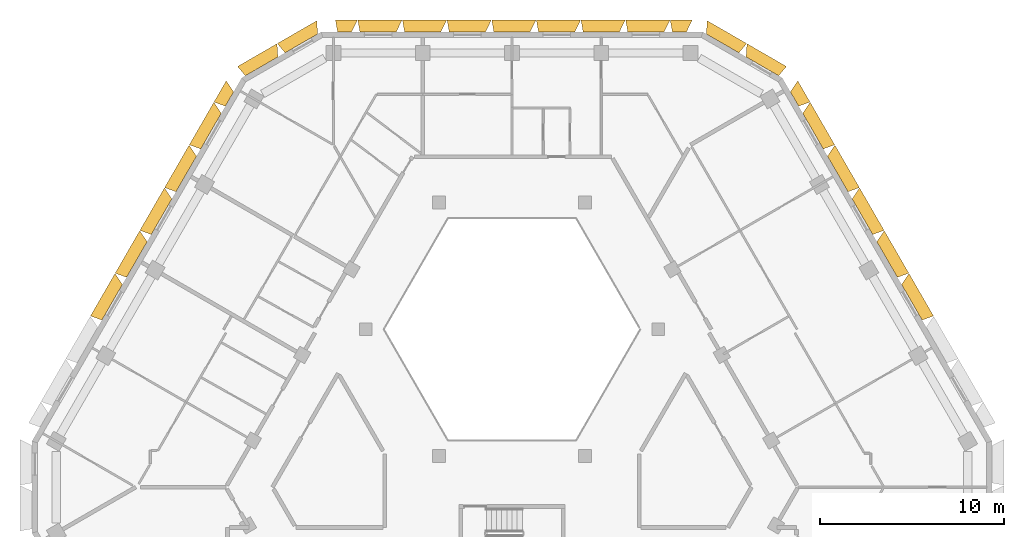
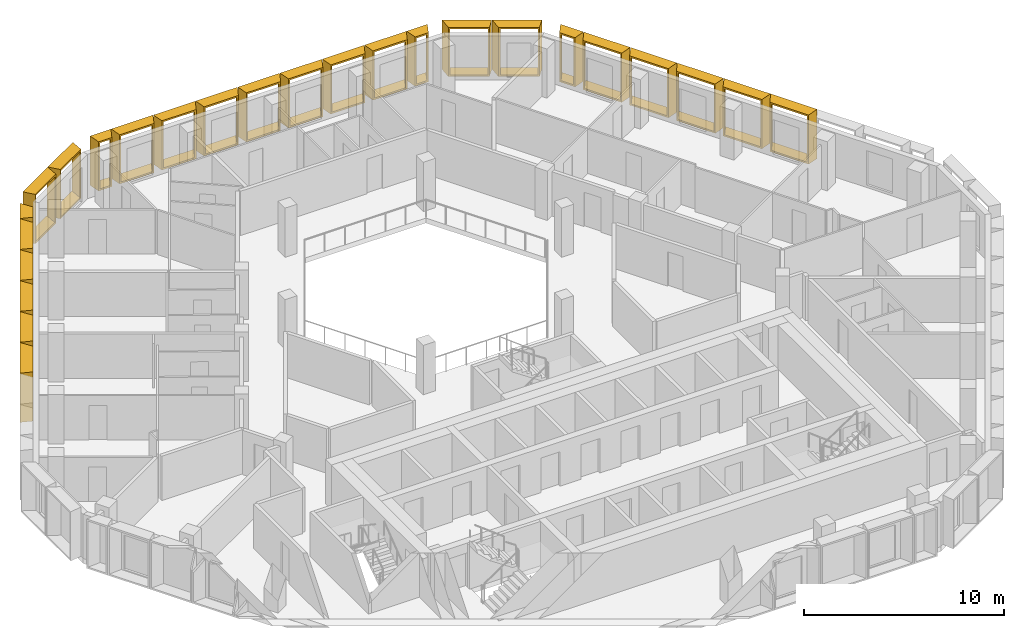
# One storey, part 15 of 15: 25 shading devices.
"""IFC4 building model written with IfcOpenShell, lengths in metres."""

from ifc_helpers import new_model, entity, si_unit, direction, frame, origin, place, context, subcontext, project, spatial, source, transform, mapped, material, type_object, type_shapes, element, save


model = new_model("IFC4")

# Units and contexts
model_context = context("Model", 3, precision=1e-05, world=origin(), true_north=direction((0.0, 1.0)))
body_context = subcontext(model_context, "Body", "Model", "MODEL_VIEW")
ifc_project = project(units=[si_unit("LENGTHUNIT", "METRE"), si_unit("AREAUNIT", "SQUARE_METRE"), si_unit("VOLUMEUNIT", "CUBIC_METRE"), si_unit("PLANEANGLEUNIT", "RADIAN"), si_unit("MASSUNIT", "GRAM", prefix="KILO")], contexts=[model_context])

# Site, building, storey
site_placement = place(None, origin())
site = spatial("IfcSite", under=ifc_project, at=site_placement, CompositionType="ELEMENT")
building_placement = place(site_placement, origin())
building = spatial("IfcBuilding", under=site, at=building_placement, Name="Beryl Residences", CompositionType="ELEMENT")
storey_placement = place(building_placement, frame((0.0, 0.0, 163.199951171875)))
storey = spatial("IfcBuildingStorey", under=building, at=storey_placement, Name="L49", CompositionType="ELEMENT", Elevation=163.199951171875)

# Shading devices
ifc_material_1 = material(Name="Aluminium pale anodised", Category="aluminium")
shading_device_type_1 = type_object("IfcShadingDeviceType", Name="FR122-65B OUTER SKIN frame 650 mm deep, splay 26/10 deg, 1220 x 3000 mm cell", PredefinedType="USERDEFINED", material=ifc_material_1)
cartesian_point_1 = entity("IfcCartesianPoint", [-0.384033203125, 0.0])
cartesian_point_2 = entity("IfcCartesianPoint", [-0.294921875, 0.10009765625])
cartesian_point_3 = entity("IfcCartesianPoint", [-0.700927734375, 0.0])
cartesian_point_4 = entity("IfcCartesianPoint", [-0.612060546875, 0.10009765625])
shared_shape_1 = source(origin(), body_context, "Body", "SweptSolid", [
    entity("IfcExtrudedAreaSolidTapered", entity("IfcArbitraryProfileDefWithVoids", "AREA", None, entity("IfcPolyline", [cartesian_point_1, entity("IfcCartesianPoint", [0.384033203125, 0.0]), entity("IfcCartesianPoint", [0.384033203125, 3.0]), entity("IfcCartesianPoint", [-0.384033203125, 3.0]), cartesian_point_1]), [entity("IfcPolyline", [cartesian_point_2, entity("IfcCartesianPoint", [0.302734375, 0.10009765625]), entity("IfcCartesianPoint", [0.302734375, 2.89990234375]), entity("IfcCartesianPoint", [-0.294921875, 2.89990234375]), cartesian_point_2])]), entity("IfcAxis2Placement3D", entity("IfcCartesianPoint", [0.0, 0.0, 0.0]), entity("IfcDirection", [0.0, 1.0, 0.0]), entity("IfcDirection", [-1.0, 0.0, 0.0])), entity("IfcDirection", [0.0, 0.0, 1.0]), 0.64990234375, entity("IfcArbitraryProfileDefWithVoids", "AREA", None, entity("IfcPolyline", [cartesian_point_3, entity("IfcCartesianPoint", [0.49853515625, 0.0]), entity("IfcCartesianPoint", [0.49853515625, 3.0]), entity("IfcCartesianPoint", [-0.700927734375, 3.0]), cartesian_point_3]), [entity("IfcPolyline", [cartesian_point_4, entity("IfcCartesianPoint", [0.41748046875, 0.10009765625]), entity("IfcCartesianPoint", [0.41748046875, 2.89990234375]), entity("IfcCartesianPoint", [-0.612060546875, 2.89990234375]), cartesian_point_4])])),
])
type_shapes(shading_device_type_1, [shared_shape_1])
for number, where, z_axis, x_axis, name in (
    (1, (9.1201171875, 24.199951171875, 0.0), (0.0, 0.0, 1.0), (1.0, 0.0, 0.0), "FR122-65B frame L49 N 1"),
    (2, (-9.1201171875, 24.199951171875, 0.0), (0.0, 0.0, 1.0), (1.0, 0.0, 0.0), "FR122-65B frame L49 N 9"),
):
    element("IfcShadingDevice", number, at=place(storey_placement, frame(where, z_axis=z_axis, x_axis=x_axis)), inside=storey, type_object=shading_device_type_1, Name=name, ObjectType="OUTER SKIN", PredefinedType="USERDEFINED", context=body_context, shape_type="MappedRepresentation", body=[
        mapped(shared_shape_1, transform((0.0, 0.0, 0.0))),
    ])
ifc_material_2 = material(Name="Aluminium pale anodised", Category="aluminium")
shading_device_type_2 = type_object("IfcShadingDeviceType", Name="FR135-65B OUTER SKIN frame 650 mm deep, splay 26/10 deg, 1350 x 3000 mm cell", PredefinedType="USERDEFINED", material=ifc_material_2)
cartesian_point_5 = entity("IfcCartesianPoint", [-0.448974609375, 0.0])
cartesian_point_6 = entity("IfcCartesianPoint", [-0.360107421875, 0.10009765625])
cartesian_point_7 = entity("IfcCartesianPoint", [-0.76611328125, 0.0])
cartesian_point_8 = entity("IfcCartesianPoint", [-0.677001953125, 0.10009765625])
shared_shape_2 = source(origin(), body_context, "Body", "SweptSolid", [
    entity("IfcExtrudedAreaSolidTapered", entity("IfcArbitraryProfileDefWithVoids", "AREA", None, entity("IfcPolyline", [cartesian_point_5, entity("IfcCartesianPoint", [0.448974609375, 0.0]), entity("IfcCartesianPoint", [0.448974609375, 3.0]), entity("IfcCartesianPoint", [-0.448974609375, 3.0]), cartesian_point_5]), [entity("IfcPolyline", [cartesian_point_6, entity("IfcCartesianPoint", [0.36767578125, 0.10009765625]), entity("IfcCartesianPoint", [0.36767578125, 2.89990234375]), entity("IfcCartesianPoint", [-0.360107421875, 2.89990234375]), cartesian_point_6])]), entity("IfcAxis2Placement3D", entity("IfcCartesianPoint", [0.0, 0.0, 0.0]), entity("IfcDirection", [0.0, 1.0, 0.0]), entity("IfcDirection", [-1.0, 0.0, 0.0])), entity("IfcDirection", [0.0, 0.0, 1.0]), 0.64990234375, entity("IfcArbitraryProfileDefWithVoids", "AREA", None, entity("IfcPolyline", [cartesian_point_7, entity("IfcCartesianPoint", [0.563720703125, 0.0]), entity("IfcCartesianPoint", [0.563720703125, 3.0]), entity("IfcCartesianPoint", [-0.76611328125, 3.0]), cartesian_point_7]), [entity("IfcPolyline", [cartesian_point_8, entity("IfcCartesianPoint", [0.482421875, 0.10009765625]), entity("IfcCartesianPoint", [0.482421875, 2.89990234375]), entity("IfcCartesianPoint", [-0.677001953125, 2.89990234375]), cartesian_point_8])])),
])
type_shapes(shading_device_type_2, [shared_shape_2])
shading_device_1_placement = place(storey_placement, frame((-15.39111328125, 20.54296875, 0.0), z_axis=(0.0, 0.0, 1.0), x_axis=(0.5, 0.866025403784, 0.0)))
element("IfcShadingDevice", 3, at=shading_device_1_placement, inside=storey, type_object=shading_device_type_2, Name="FR135-65B frame L49 NW 1", ObjectType="OUTER SKIN", PredefinedType="USERDEFINED", context=body_context, shape_type="MappedRepresentation", body=[
    mapped(shared_shape_2, transform((0.0, 0.0, 0.0))),
])
ifc_material_3 = material(Name="Aluminium pale anodised", Category="aluminium")
shading_device_type_3 = type_object("IfcShadingDeviceType", Name="FR135-65C OUTER SKIN frame 650 mm deep, splay 10/26 deg, 1350 x 3000 mm cell", PredefinedType="USERDEFINED", material=ifc_material_3)
cartesian_point_9 = entity("IfcCartesianPoint", [-0.448974609375, 0.0])
cartesian_point_10 = entity("IfcCartesianPoint", [-0.36767578125, 0.10009765625])
cartesian_point_11 = entity("IfcCartesianPoint", [-0.563720703125, 0.0])
cartesian_point_12 = entity("IfcCartesianPoint", [-0.482421875, 0.10009765625])
shared_shape_3 = source(origin(), body_context, "Body", "SweptSolid", [
    entity("IfcExtrudedAreaSolidTapered", entity("IfcArbitraryProfileDefWithVoids", "AREA", None, entity("IfcPolyline", [cartesian_point_9, entity("IfcCartesianPoint", [0.448974609375, 0.0]), entity("IfcCartesianPoint", [0.448974609375, 3.0]), entity("IfcCartesianPoint", [-0.448974609375, 3.0]), cartesian_point_9]), [entity("IfcPolyline", [cartesian_point_10, entity("IfcCartesianPoint", [0.360107421875, 0.10009765625]), entity("IfcCartesianPoint", [0.360107421875, 2.89990234375]), entity("IfcCartesianPoint", [-0.36767578125, 2.89990234375]), cartesian_point_10])]), entity("IfcAxis2Placement3D", entity("IfcCartesianPoint", [0.0, 0.0, 0.0]), entity("IfcDirection", [0.0, 1.0, 0.0]), entity("IfcDirection", [-1.0, 0.0, 0.0])), entity("IfcDirection", [0.0, 0.0, 1.0]), 0.64990234375, entity("IfcArbitraryProfileDefWithVoids", "AREA", None, entity("IfcPolyline", [cartesian_point_11, entity("IfcCartesianPoint", [0.76611328125, 0.0]), entity("IfcCartesianPoint", [0.76611328125, 3.0]), entity("IfcCartesianPoint", [-0.563720703125, 3.0]), cartesian_point_11]), [entity("IfcPolyline", [cartesian_point_12, entity("IfcCartesianPoint", [0.677001953125, 0.10009765625]), entity("IfcCartesianPoint", [0.677001953125, 2.89990234375]), entity("IfcCartesianPoint", [-0.482421875, 2.89990234375]), cartesian_point_12])])),
])
type_shapes(shading_device_type_3, [shared_shape_3])
shading_device_2_placement = place(storey_placement, frame((15.39111328125, 20.54296875, 0.0), z_axis=(0.0, 0.0, 1.0), x_axis=(0.5, -0.866025403784, 0.0)))
element("IfcShadingDevice", 4, at=shading_device_2_placement, inside=storey, type_object=shading_device_type_3, Name="FR135-65C frame L49 NE 9", ObjectType="OUTER SKIN", PredefinedType="USERDEFINED", context=body_context, shape_type="MappedRepresentation", body=[
    mapped(shared_shape_3, transform((0.0, 0.0, 0.0))),
])
ifc_material_4 = material(Name="Aluminium pale anodised", Category="aluminium")
shading_device_type_4 = type_object("IfcShadingDeviceType", Name="FR243-65B OUTER SKIN frame 650 mm deep, splay 26/10 deg, 2430 x 3000 mm cell", PredefinedType="USERDEFINED", material=ifc_material_4)
cartesian_point_13 = entity("IfcCartesianPoint", [-0.989013671875, 0.0])
cartesian_point_14 = entity("IfcCartesianPoint", [-0.89990234375, 0.10009765625])
cartesian_point_15 = entity("IfcCartesianPoint", [-1.305908203125, 0.0])
cartesian_point_16 = entity("IfcCartesianPoint", [-1.217041015625, 0.10009765625])
shared_shape_4 = source(origin(), body_context, "Body", "SweptSolid", [
    entity("IfcExtrudedAreaSolidTapered", entity("IfcArbitraryProfileDefWithVoids", "AREA", None, entity("IfcPolyline", [cartesian_point_13, entity("IfcCartesianPoint", [0.989013671875, 0.0]), entity("IfcCartesianPoint", [0.989013671875, 3.0]), entity("IfcCartesianPoint", [-0.989013671875, 3.0]), cartesian_point_13]), [entity("IfcPolyline", [cartesian_point_14, entity("IfcCartesianPoint", [0.90771484375, 0.10009765625]), entity("IfcCartesianPoint", [0.90771484375, 2.89990234375]), entity("IfcCartesianPoint", [-0.89990234375, 2.89990234375]), cartesian_point_14])]), entity("IfcAxis2Placement3D", entity("IfcCartesianPoint", [0.0, 0.0, 0.0]), entity("IfcDirection", [0.0, 1.0, 0.0]), entity("IfcDirection", [-1.0, 0.0, 0.0])), entity("IfcDirection", [0.0, 0.0, 1.0]), 0.64990234375, entity("IfcArbitraryProfileDefWithVoids", "AREA", None, entity("IfcPolyline", [cartesian_point_15, entity("IfcCartesianPoint", [1.103515625, 0.0]), entity("IfcCartesianPoint", [1.103515625, 3.0]), entity("IfcCartesianPoint", [-1.305908203125, 3.0]), cartesian_point_15]), [entity("IfcPolyline", [cartesian_point_16, entity("IfcCartesianPoint", [1.0224609375, 0.10009765625]), entity("IfcCartesianPoint", [1.0224609375, 2.89990234375]), entity("IfcCartesianPoint", [-1.217041015625, 2.89990234375]), cartesian_point_16])])),
])
type_shapes(shading_device_type_4, [shared_shape_4])
for number, where, z_axis, x_axis, name in (
    (5, (7.2958984375, 24.199951171875, 0.0), (0.0, 0.0, 1.0), (1.0, 0.0, 0.0), "FR243-65B frame L49 N 2"),
    (6, (4.864013671875, 24.199951171875, 0.0), (0.0, 0.0, 1.0), (1.0, 0.0, 0.0), "FR243-65B frame L49 N 3"),
    (7, (2.431884765625, 24.199951171875, 0.0), (0.0, 0.0, 1.0), (1.0, 0.0, 0.0), "FR243-65B frame L49 N 4"),
    (8, (0.0, 24.199951171875, 0.0), (0.0, 0.0, 1.0), (1.0, 0.0, 0.0), "FR243-65B frame L49 N 5"),
    (9, (-2.431884765625, 24.199951171875, 0.0), (0.0, 0.0, 1.0), (1.0, 0.0, 0.0), "FR243-65B frame L49 N 6"),
    (10, (-4.864013671875, 24.199951171875, 0.0), (0.0, 0.0, 1.0), (1.0, 0.0, 0.0), "FR243-65B frame L49 N 7"),
    (11, (-7.2958984375, 24.199951171875, 0.0), (0.0, 0.0, 1.0), (1.0, 0.0, 0.0), "FR243-65B frame L49 N 8"),
):
    element("IfcShadingDevice", number, at=place(storey_placement, frame(where, z_axis=z_axis, x_axis=x_axis)), inside=storey, type_object=shading_device_type_4, Name=name, ObjectType="OUTER SKIN", PredefinedType="USERDEFINED", context=body_context, shape_type="MappedRepresentation", body=[
        mapped(shared_shape_4, transform((0.0, 0.0, 0.0))),
    ])
ifc_material_5 = material(Name="Aluminium pale anodised", Category="aluminium")
shading_device_type_5 = type_object("IfcShadingDeviceType", Name="FR250-65B OUTER SKIN frame 650 mm deep, splay 26/10 deg, 2500 x 3000 mm cell", PredefinedType="USERDEFINED", material=ifc_material_5)
cartesian_point_17 = entity("IfcCartesianPoint", [-1.02392578125, 0.0])
cartesian_point_18 = entity("IfcCartesianPoint", [-0.93505859375, 0.10009765625])
cartesian_point_19 = entity("IfcCartesianPoint", [-1.341064453125, 0.0])
cartesian_point_20 = entity("IfcCartesianPoint", [-1.251953125, 0.10009765625])
shared_shape_5 = source(origin(), body_context, "Body", "SweptSolid", [
    entity("IfcExtrudedAreaSolidTapered", entity("IfcArbitraryProfileDefWithVoids", "AREA", None, entity("IfcPolyline", [cartesian_point_17, entity("IfcCartesianPoint", [1.02392578125, 0.0]), entity("IfcCartesianPoint", [1.02392578125, 3.0]), entity("IfcCartesianPoint", [-1.02392578125, 3.0]), cartesian_point_17]), [entity("IfcPolyline", [cartesian_point_18, entity("IfcCartesianPoint", [0.94287109375, 0.10009765625]), entity("IfcCartesianPoint", [0.94287109375, 2.89990234375]), entity("IfcCartesianPoint", [-0.93505859375, 2.89990234375]), cartesian_point_18])]), entity("IfcAxis2Placement3D", entity("IfcCartesianPoint", [0.0, 0.0, 0.0]), entity("IfcDirection", [0.0, 1.0, 0.0]), entity("IfcDirection", [-1.0, 0.0, 0.0])), entity("IfcDirection", [0.0, 0.0, 1.0]), 0.64990234375, entity("IfcArbitraryProfileDefWithVoids", "AREA", None, entity("IfcPolyline", [cartesian_point_19, entity("IfcCartesianPoint", [1.138671875, 0.0]), entity("IfcCartesianPoint", [1.138671875, 3.0]), entity("IfcCartesianPoint", [-1.341064453125, 3.0]), cartesian_point_19]), [entity("IfcPolyline", [cartesian_point_20, entity("IfcCartesianPoint", [1.057373046875, 0.10009765625]), entity("IfcCartesianPoint", [1.057373046875, 2.89990234375]), entity("IfcCartesianPoint", [-1.251953125, 2.89990234375]), cartesian_point_20])])),
])
type_shapes(shading_device_type_5, [shared_shape_5])
for number, where, z_axis, x_axis, name in (
    (12, (-11.47412109375, 23.574951171875, 0.0), (0.0, 0.0, 1.0), (0.866025403784, 0.5, 0.0), "FR250-65B frame L49 N-NW 1"),
    (13, (-13.638916015625, 22.324951171875, 0.0), (0.0, 0.0, 1.0), (0.866025403784, 0.5, 0.0), "FR250-65B frame L49 N-NW 2"),
):
    element("IfcShadingDevice", number, at=place(storey_placement, frame(where, z_axis=z_axis, x_axis=x_axis)), inside=storey, type_object=shading_device_type_5, Name=name, ObjectType="OUTER SKIN", PredefinedType="USERDEFINED", context=body_context, shape_type="MappedRepresentation", body=[
        mapped(shared_shape_5, transform((0.0, 0.0, 0.0))),
    ])
ifc_material_6 = material(Name="Aluminium pale anodised", Category="aluminium")
shading_device_type_6 = type_object("IfcShadingDeviceType", Name="FR250-65C OUTER SKIN frame 650 mm deep, splay 10/26 deg, 2500 x 3000 mm cell", PredefinedType="USERDEFINED", material=ifc_material_6)
cartesian_point_21 = entity("IfcCartesianPoint", [-1.02392578125, 0.0])
cartesian_point_22 = entity("IfcCartesianPoint", [-0.94287109375, 0.10009765625])
cartesian_point_23 = entity("IfcCartesianPoint", [-1.138671875, 0.0])
cartesian_point_24 = entity("IfcCartesianPoint", [-1.057373046875, 0.10009765625])
shared_shape_6 = source(origin(), body_context, "Body", "SweptSolid", [
    entity("IfcExtrudedAreaSolidTapered", entity("IfcArbitraryProfileDefWithVoids", "AREA", None, entity("IfcPolyline", [cartesian_point_21, entity("IfcCartesianPoint", [1.02392578125, 0.0]), entity("IfcCartesianPoint", [1.02392578125, 3.0]), entity("IfcCartesianPoint", [-1.02392578125, 3.0]), cartesian_point_21]), [entity("IfcPolyline", [cartesian_point_22, entity("IfcCartesianPoint", [0.93505859375, 0.10009765625]), entity("IfcCartesianPoint", [0.93505859375, 2.89990234375]), entity("IfcCartesianPoint", [-0.94287109375, 2.89990234375]), cartesian_point_22])]), entity("IfcAxis2Placement3D", entity("IfcCartesianPoint", [0.0, 0.0, 0.0]), entity("IfcDirection", [0.0, 1.0, 0.0]), entity("IfcDirection", [-1.0, 0.0, 0.0])), entity("IfcDirection", [0.0, 0.0, 1.0]), 0.64990234375, entity("IfcArbitraryProfileDefWithVoids", "AREA", None, entity("IfcPolyline", [cartesian_point_23, entity("IfcCartesianPoint", [1.341064453125, 0.0]), entity("IfcCartesianPoint", [1.341064453125, 3.0]), entity("IfcCartesianPoint", [-1.138671875, 3.0]), cartesian_point_23]), [entity("IfcPolyline", [cartesian_point_24, entity("IfcCartesianPoint", [1.251953125, 0.10009765625]), entity("IfcCartesianPoint", [1.251953125, 2.89990234375]), entity("IfcCartesianPoint", [-1.057373046875, 2.89990234375]), cartesian_point_24])])),
])
type_shapes(shading_device_type_6, [shared_shape_6])
for number, where, z_axis, x_axis, name in (
    (14, (13.638916015625, 22.324951171875, 0.0), (0.0, 0.0, 1.0), (0.866025403784, -0.5, 0.0), "FR250-65C frame L49 NE-N 1"),
    (15, (11.47412109375, 23.574951171875, 0.0), (0.0, 0.0, 1.0), (0.866025403784, -0.5, 0.0), "FR250-65C frame L49 NE-N 2"),
):
    element("IfcShadingDevice", number, at=place(storey_placement, frame(where, z_axis=z_axis, x_axis=x_axis)), inside=storey, type_object=shading_device_type_6, Name=name, ObjectType="OUTER SKIN", PredefinedType="USERDEFINED", context=body_context, shape_type="MappedRepresentation", body=[
        mapped(shared_shape_6, transform((0.0, 0.0, 0.0))),
    ])
ifc_material_7 = material(Name="Aluminium pale anodised", Category="aluminium")
shading_device_type_7 = type_object("IfcShadingDeviceType", Name="FR269-65B OUTER SKIN frame 650 mm deep, splay 26/10 deg, 2690 x 3000 mm cell", PredefinedType="USERDEFINED", material=ifc_material_7)
cartesian_point_25 = entity("IfcCartesianPoint", [-1.118896484375, 0.0])
cartesian_point_26 = entity("IfcCartesianPoint", [-1.030029296875, 0.10009765625])
cartesian_point_27 = entity("IfcCartesianPoint", [-1.43603515625, 0.0])
cartesian_point_28 = entity("IfcCartesianPoint", [-1.346923828125, 0.10009765625])
shared_shape_7 = source(origin(), body_context, "Body", "SweptSolid", [
    entity("IfcExtrudedAreaSolidTapered", entity("IfcArbitraryProfileDefWithVoids", "AREA", None, entity("IfcPolyline", [cartesian_point_25, entity("IfcCartesianPoint", [1.118896484375, 0.0]), entity("IfcCartesianPoint", [1.118896484375, 3.0]), entity("IfcCartesianPoint", [-1.118896484375, 3.0]), cartesian_point_25]), [entity("IfcPolyline", [cartesian_point_26, entity("IfcCartesianPoint", [1.037841796875, 0.10009765625]), entity("IfcCartesianPoint", [1.037841796875, 2.89990234375]), entity("IfcCartesianPoint", [-1.030029296875, 2.89990234375]), cartesian_point_26])]), entity("IfcAxis2Placement3D", entity("IfcCartesianPoint", [0.0, 0.0, 0.0]), entity("IfcDirection", [0.0, 1.0, 0.0]), entity("IfcDirection", [-1.0, 0.0, 0.0])), entity("IfcDirection", [0.0, 0.0, 1.0]), 0.64990234375, entity("IfcArbitraryProfileDefWithVoids", "AREA", None, entity("IfcPolyline", [cartesian_point_27, entity("IfcCartesianPoint", [1.233642578125, 0.0]), entity("IfcCartesianPoint", [1.233642578125, 3.0]), entity("IfcCartesianPoint", [-1.43603515625, 3.0]), cartesian_point_27]), [entity("IfcPolyline", [cartesian_point_28, entity("IfcCartesianPoint", [1.15234375, 0.10009765625]), entity("IfcCartesianPoint", [1.15234375, 2.89990234375]), entity("IfcCartesianPoint", [-1.346923828125, 2.89990234375]), cartesian_point_28])])),
])
type_shapes(shading_device_type_7, [shared_shape_7])
for number, where, z_axis, x_axis, name in (
    (16, (-16.39990234375, 18.7939453125, 0.0), (0.0, 0.0, 1.0), (0.5, 0.866025403784, 0.0), "FR269-65B frame L49 NW 2"),
    (17, (-17.74609375, 16.462890625, 0.0), (0.0, 0.0, 1.0), (0.5, 0.866025403784, 0.0), "FR269-65B frame L49 NW 3"),
    (18, (-19.092041015625, 14.131103515625, 0.0), (0.0, 0.0, 1.0), (0.5, 0.866025403784, 0.0), "FR269-65B frame L49 NW 4"),
    (19, (-20.43798828125, 11.800048828125, 0.0), (0.0, 0.0, 1.0), (0.5, 0.866025403784, 0.0), "FR269-65B frame L49 NW 5"),
    (20, (-21.783935546875, 9.468994140625, 0.0), (0.0, 0.0, 1.0), (0.5, 0.866025403784, 0.0), "FR269-65B frame L49 NW 6"),
):
    element("IfcShadingDevice", number, at=place(storey_placement, frame(where, z_axis=z_axis, x_axis=x_axis)), inside=storey, type_object=shading_device_type_7, Name=name, ObjectType="OUTER SKIN", PredefinedType="USERDEFINED", context=body_context, shape_type="MappedRepresentation", body=[
        mapped(shared_shape_7, transform((0.0, 0.0, 0.0))),
    ])
ifc_material_8 = material(Name="Aluminium pale anodised", Category="aluminium")
shading_device_type_8 = type_object("IfcShadingDeviceType", Name="FR269-65C OUTER SKIN frame 650 mm deep, splay 10/26 deg, 2690 x 3000 mm cell", PredefinedType="USERDEFINED", material=ifc_material_8)
cartesian_point_29 = entity("IfcCartesianPoint", [-1.118896484375, 0.0])
cartesian_point_30 = entity("IfcCartesianPoint", [-1.037841796875, 0.10009765625])
cartesian_point_31 = entity("IfcCartesianPoint", [-1.233642578125, 0.0])
cartesian_point_32 = entity("IfcCartesianPoint", [-1.15234375, 0.10009765625])
shared_shape_8 = source(origin(), body_context, "Body", "SweptSolid", [
    entity("IfcExtrudedAreaSolidTapered", entity("IfcArbitraryProfileDefWithVoids", "AREA", None, entity("IfcPolyline", [cartesian_point_29, entity("IfcCartesianPoint", [1.118896484375, 0.0]), entity("IfcCartesianPoint", [1.118896484375, 3.0]), entity("IfcCartesianPoint", [-1.118896484375, 3.0]), cartesian_point_29]), [entity("IfcPolyline", [cartesian_point_30, entity("IfcCartesianPoint", [1.030029296875, 0.10009765625]), entity("IfcCartesianPoint", [1.030029296875, 2.89990234375]), entity("IfcCartesianPoint", [-1.037841796875, 2.89990234375]), cartesian_point_30])]), entity("IfcAxis2Placement3D", entity("IfcCartesianPoint", [0.0, 0.0, 0.0]), entity("IfcDirection", [0.0, 1.0, 0.0]), entity("IfcDirection", [-1.0, 0.0, 0.0])), entity("IfcDirection", [0.0, 0.0, 1.0]), 0.64990234375, entity("IfcArbitraryProfileDefWithVoids", "AREA", None, entity("IfcPolyline", [cartesian_point_31, entity("IfcCartesianPoint", [1.43603515625, 0.0]), entity("IfcCartesianPoint", [1.43603515625, 3.0]), entity("IfcCartesianPoint", [-1.233642578125, 3.0]), cartesian_point_31]), [entity("IfcPolyline", [cartesian_point_32, entity("IfcCartesianPoint", [1.346923828125, 0.10009765625]), entity("IfcCartesianPoint", [1.346923828125, 2.89990234375]), entity("IfcCartesianPoint", [-1.15234375, 2.89990234375]), cartesian_point_32])])),
])
type_shapes(shading_device_type_8, [shared_shape_8])
for number, where, z_axis, x_axis, name in (
    (21, (21.783935546875, 9.468994140625, 0.0), (0.0, 0.0, 1.0), (0.5, -0.866025403784, 0.0), "FR269-65C frame L49 NE 4"),
    (22, (20.43798828125, 11.800048828125, 0.0), (0.0, 0.0, 1.0), (0.5, -0.866025403784, 0.0), "FR269-65C frame L49 NE 5"),
    (23, (19.092041015625, 14.131103515625, 0.0), (0.0, 0.0, 1.0), (0.5, -0.866025403784, 0.0), "FR269-65C frame L49 NE 6"),
    (24, (17.74609375, 16.462890625, 0.0), (0.0, 0.0, 1.0), (0.5, -0.866025403784, 0.0), "FR269-65C frame L49 NE 7"),
    (25, (16.39990234375, 18.7939453125, 0.0), (0.0, 0.0, 1.0), (0.5, -0.866025403784, 0.0), "FR269-65C frame L49 NE 8"),
):
    element("IfcShadingDevice", number, at=place(storey_placement, frame(where, z_axis=z_axis, x_axis=x_axis)), inside=storey, type_object=shading_device_type_8, Name=name, ObjectType="OUTER SKIN", PredefinedType="USERDEFINED", context=body_context, shape_type="MappedRepresentation", body=[
        mapped(shared_shape_8, transform((0.0, 0.0, 0.0))),
    ])

save(model, "model.ifc")
